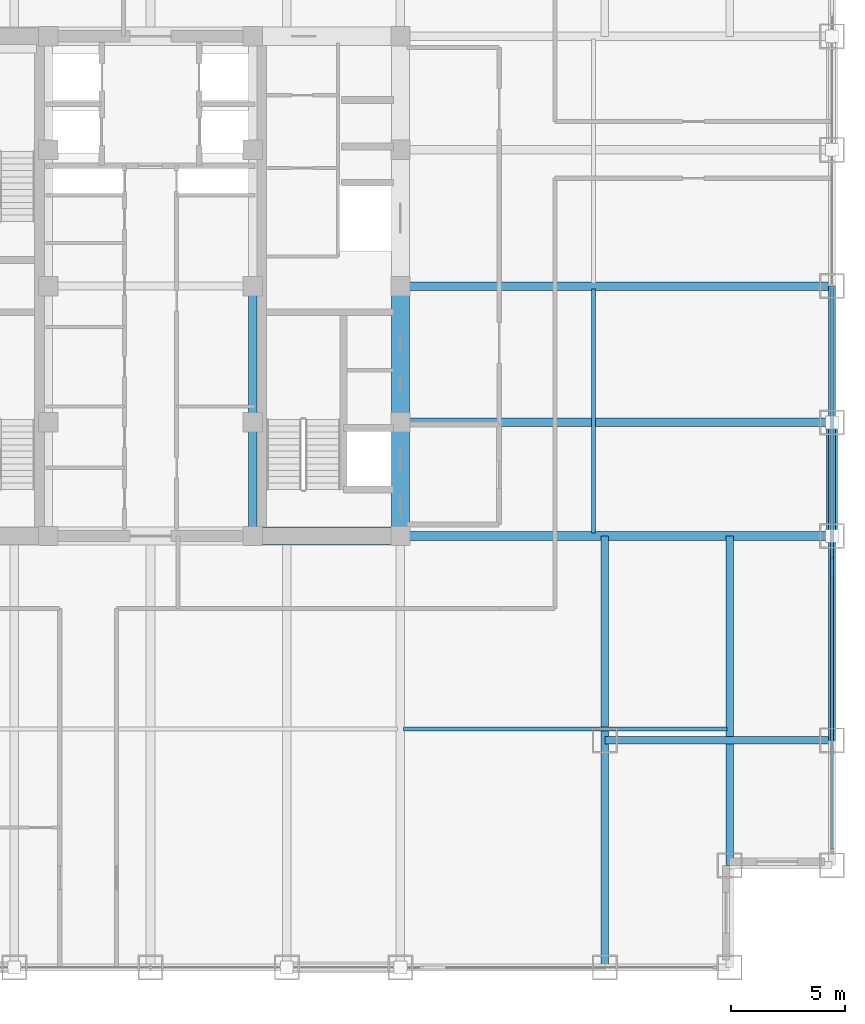
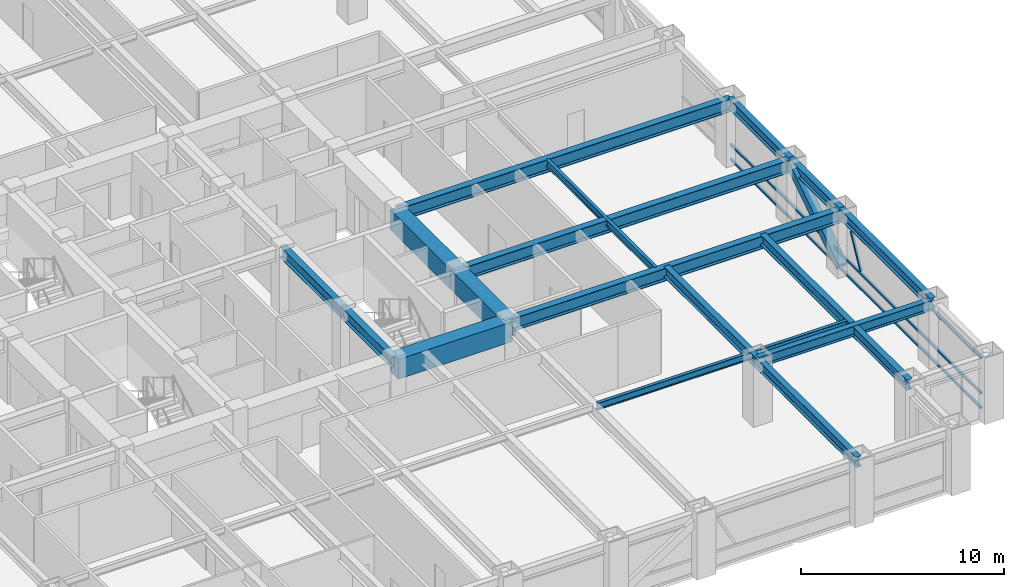
# One storey, part 9 of 24: 16 beams, 5 members, 1 element without a shape of its own.
"""IFC4 building model written with IfcOpenShell, lengths in metres."""

import ifcopenshell
import ifcopenshell.guid

model = None  # the IFC model being written
_history = None  # IfcOwnerHistory: only IFC2X3 demands one
_inside = {}  # id of a spatial element -> (the spatial element, [elements in it])
_under = {}  # id of a project, library or spatial element -> (it, [spatial elements below it])
_declared = {}  # id of a project -> (the project, [libraries it declares])
_typed = {}  # id of a type object -> (the type object, [elements of that type])
_made_of = {}  # id of a material, layer set ... -> (it, [elements and type objects made of it])


def new_model(schema):
    """Start an empty IFC model of exactly this schema.

    Asked for "IFC4X3", IfcOpenShell would pick the latest addendum, in which some entities
    have other attributes; the version numbers below select the first issue.
    IFC2X3 requires an IfcOwnerHistory on every rooted entity: one is made here for all.
    """
    global model, _history
    if schema == "IFC4X3":
        model = ifcopenshell.file(schema_version=(4, 3, 0, 0))
    else:
        model = ifcopenshell.file(schema=schema)
    _inside.clear()
    _under.clear()
    _declared.clear()
    _typed.clear()
    _made_of.clear()
    _history = None
    if model.schema == "IFC2X3":
        org = make("IfcOrganization", Name="unknown")
        user = make(
            "IfcPersonAndOrganization",
            ThePerson=make("IfcPerson", FamilyName="unknown"),
            TheOrganization=org,
        )
        app = make(
            "IfcApplication",
            ApplicationDeveloper=org,
            Version="unknown",
            ApplicationFullName="unknown",
            ApplicationIdentifier="unknown",
        )
        _history = make(
            "IfcOwnerHistory",
            OwningUser=user,
            OwningApplication=app,
            ChangeAction="ADDED",
            CreationDate=0,
        )
    return model


def make(cls, **values):
    """One entity of the class cls with the attributes given. An attribute that is None is left unset."""
    return model.create_entity(
        cls, **{name: value for name, value in values.items() if value is not None}
    )


def rooted(cls, **values):
    """An entity with a GlobalId (a new one), such as an element, a storey or a relation."""
    return make(cls, GlobalId=ifcopenshell.guid.new(), OwnerHistory=_history, **values)


def si_unit(unit_type, name, prefix=None):
    """IfcSIUnit, for example si_unit("LENGTHUNIT", "METRE", prefix="MILLI")."""
    return make("IfcSIUnit", UnitType=unit_type, Prefix=prefix, Name=name)


def assignment(units):
    """IfcUnitAssignment: the units of a project."""
    return None if units is None else make("IfcUnitAssignment", Units=units)


def point(xyz):
    """IfcCartesianPoint."""
    return None if xyz is None else make("IfcCartesianPoint", Coordinates=xyz)


def direction(xyz):
    """IfcDirection."""
    return None if xyz is None else make("IfcDirection", DirectionRatios=xyz)


def frame(location, z_axis=None, x_axis=None):
    """IfcAxis2Placement3D, a coordinate frame: its origin and axes. An axis left out is left unset."""
    return make(
        "IfcAxis2Placement3D",
        Location=point(location),
        Axis=direction(z_axis),
        RefDirection=direction(x_axis),
    )


def frame_2d(location, x_axis=None):
    """IfcAxis2Placement2D, a coordinate frame in the plane: its origin and x axis."""
    return make(
        "IfcAxis2Placement2D", Location=point(location), RefDirection=direction(x_axis)
    )


def origin():
    """The frame at (0, 0, 0) with its axes left unset."""
    return frame((0.0, 0.0, 0.0))


def origin_2d():
    """The frame at (0, 0) in the plane with its x axis left unset."""
    return frame_2d((0.0, 0.0))


def place(relative_to, where):
    """IfcLocalPlacement: puts the frame where relative to a parent placement (None: the world)."""
    return make(
        "IfcLocalPlacement", PlacementRelTo=relative_to, RelativePlacement=where
    )


def context(
    kind, dimensions, precision=None, world=None, true_north=None, identifier=None
):
    """IfcGeometricRepresentationContext, for example the 3D "Model" context."""
    return make(
        "IfcGeometricRepresentationContext",
        ContextIdentifier=identifier,
        ContextType=kind,
        CoordinateSpaceDimension=dimensions,
        Precision=precision,
        WorldCoordinateSystem=world,
        TrueNorth=true_north,
    )


def subcontext(parent, identifier, kind, view, scale=None):
    """IfcGeometricRepresentationSubContext, for example "Body" below "Model"."""
    return make(
        "IfcGeometricRepresentationSubContext",
        ContextIdentifier=identifier,
        ContextType=kind,
        ParentContext=parent,
        TargetScale=scale,
        TargetView=view,
    )


def project(units=None, contexts=None):
    """IfcProject with its units and contexts."""
    return rooted(
        "IfcProject",
        Name="project",
        RepresentationContexts=contexts,
        UnitsInContext=assignment(units),
    )


def spatial(cls, under=None, at=None, **own):
    """A site, building, storey or space (cls), placed at a placement, below another one or the project."""
    s = rooted(cls, ObjectPlacement=at, **own)
    if under is not None:
        _under.setdefault(under.id(), (under, []))[1].append(s)
    return s


def profile(cls, at=None, kind="AREA", **sizes):
    """A parametric profile (cls). Its sizes go by their IFC names, for example OverallWidth=200.0."""
    return make(cls, ProfileType=kind, Position=at, **sizes)


def rectangle(**sizes):
    """IfcRectangleProfileDef."""
    return profile("IfcRectangleProfileDef", **sizes)


def hollow_rectangle(**sizes):
    """IfcRectangleHollowProfileDef."""
    return profile("IfcRectangleHollowProfileDef", **sizes)


def i_section(**sizes):
    """IfcIShapeProfileDef."""
    return profile("IfcIShapeProfileDef", **sizes)


def extrude(swept, where, along, depth):
    """IfcExtrudedAreaSolid: the profile swept, set in the frame where, extruded along a direction by depth."""
    return make(
        "IfcExtrudedAreaSolid",
        SweptArea=swept,
        Position=where,
        ExtrudedDirection=direction(along),
        Depth=depth,
    )


def shape(context_of_items, identifier, shape_type, items):
    """IfcShapeRepresentation: the items that make up one representation, for example the "Body"."""
    return make(
        "IfcShapeRepresentation",
        ContextOfItems=context_of_items,
        RepresentationIdentifier=identifier,
        RepresentationType=shape_type,
        Items=items,
    )


def source(mapping_origin, context_of_items, identifier, shape_type, items):
    """IfcRepresentationMap: a shape defined once, which mapped items show again and again."""
    return make(
        "IfcRepresentationMap",
        MappingOrigin=mapping_origin,
        MappedRepresentation=shape(context_of_items, identifier, shape_type, items),
    )


def transform(
    local_origin,
    x_axis=None,
    y_axis=None,
    z_axis=None,
    scale=None,
    scale2=None,
    scale3=None,
    uniform=True,
):
    """IfcCartesianTransformationOperator3D, or its non-uniform kind. x_axis, y_axis, z_axis: its Axis1, 2, 3."""
    if uniform:
        return make(
            "IfcCartesianTransformationOperator3D",
            Axis1=direction(x_axis),
            Axis2=direction(y_axis),
            LocalOrigin=point(local_origin),
            Scale=scale,
            Axis3=direction(z_axis),
        )
    return make(
        "IfcCartesianTransformationOperator3DnonUniform",
        Axis1=direction(x_axis),
        Axis2=direction(y_axis),
        LocalOrigin=point(local_origin),
        Scale=scale,
        Axis3=direction(z_axis),
        Scale2=scale2,
        Scale3=scale3,
    )


def mapped(mapping_source, mapping_target):
    """IfcMappedItem: shows the shape of a source again, moved by a transform."""
    return make(
        "IfcMappedItem", MappingSource=mapping_source, MappingTarget=mapping_target
    )


def material(Name=None, Category=None):
    """IfcMaterial."""
    return make("IfcMaterial", Name=Name, Category=Category)


def material_profile(
    of_material, cross_section, Name=None, Category=None, Priority=None
):
    """IfcMaterialProfile: a cross section and its material."""
    return make(
        "IfcMaterialProfile",
        Name=Name,
        Material=of_material,
        Profile=cross_section,
        Priority=Priority,
        Category=Category,
    )


def profile_set(profiles, Name=None, composite=None):
    """IfcMaterialProfileSet."""
    return make(
        "IfcMaterialProfileSet",
        Name=Name,
        MaterialProfiles=profiles,
        CompositeProfile=composite,
    )


def made_of(thing, what):
    """Note that an element or type object is made of a material, layer set ...; save() writes the relation."""
    if what is not None:
        _made_of.setdefault(what.id(), (what, []))[1].append(thing)
    return thing


def type_object(cls, material=None, **own):
    """A type object (cls), such as IfcWallType, which elements share."""
    return made_of(rooted(cls, **own), material)


def element(
    cls,
    number,
    at=None,
    inside=None,
    cuts=None,
    type_object=None,
    material=None,
    context=None,
    identifier="Body",
    shape_type=None,
    held_by="IfcProductDefinitionShape",
    body=None,
    shapes=None,
    **own,
):
    """One element of the class cls, such as IfcWall. Its Tag is "e" and its number.

    at: its placement. inside: the storey or other place that contains it. cuts: it is an
    opening in that element (IfcRelVoidsElement). A single representation is given by context,
    identifier, shape_type and body (its items); several are given by shapes. held_by: the class
    of the entity that holds the representations. save() writes the other relations.
    """
    e = rooted(cls, Tag="e%d" % number, ObjectPlacement=at, **own)
    if body is not None:
        shapes = [shape(context, identifier, shape_type, body)]
    if shapes is not None:
        e.Representation = make(held_by, Representations=shapes)
    if inside is not None:
        _inside.setdefault(inside.id(), (inside, []))[1].append(e)
    if cuts is not None:
        rooted(
            "IfcRelVoidsElement", RelatingBuildingElement=cuts, RelatedOpeningElement=e
        )
    if type_object is not None:
        _typed.setdefault(type_object.id(), (type_object, []))[1].append(e)
    return made_of(e, material)


def aggregate(whole, parts):
    """IfcRelAggregates: a whole, such as a stair, and the parts it consists of."""
    return rooted("IfcRelAggregates", RelatingObject=whole, RelatedObjects=parts)


def save(model, path):
    """Write the relations noted so far, then the file.

    IfcRelAggregates (storeys below a building ...), IfcRelContainedInSpatialStructure (elements
    in a storey), IfcRelDefinesByType, IfcRelAssociatesMaterial and IfcRelDeclares: one each for
    every whole, place, type object, material and project.
    """
    for whole, parts in _under.values():
        aggregate(whole, parts)
    for where, things in _inside.values():
        rooted(
            "IfcRelContainedInSpatialStructure",
            RelatedElements=things,
            RelatingStructure=where,
        )
    for kind, things in _typed.values():
        rooted("IfcRelDefinesByType", RelatedObjects=things, RelatingType=kind)
    for what, things in _made_of.values():
        rooted("IfcRelAssociatesMaterial", RelatedObjects=things, RelatingMaterial=what)
    for by, libraries in _declared.values():
        rooted("IfcRelDeclares", RelatingContext=by, RelatedDefinitions=libraries)
    model.write(path)


model = new_model("IFC4")

# Units and contexts
model_context = context("Model", 3, precision=1e-05, world=origin(), true_north=direction((0.0, 1.0)))
body_context = subcontext(model_context, "Body", "Model", "MODEL_VIEW")
ifc_project = project(units=[si_unit("LENGTHUNIT", "METRE"), si_unit("AREAUNIT", "SQUARE_METRE"), si_unit("VOLUMEUNIT", "CUBIC_METRE"), si_unit("PLANEANGLEUNIT", "RADIAN"), si_unit("MASSUNIT", "GRAM", prefix="KILO")], contexts=[model_context])

# Site, building, storey
site_placement = place(None, origin())
site = spatial("IfcSite", under=ifc_project, at=site_placement, CompositionType="ELEMENT")
building_placement = place(site_placement, origin())
building = spatial("IfcBuilding", under=site, at=building_placement, Name="Khorayat Bourse Tower", CompositionType="ELEMENT")
storey_placement = place(building_placement, frame((0.0, 0.0, 171.10009765625)))
storey = spatial("IfcBuildingStorey", under=building, at=storey_placement, Name="L39", CompositionType="ELEMENT", Elevation=171.10009765625)

# Beams
ifc_material_1 = material(Name="Concrete C72/90", Category="concrete")
ifc_material_profile_1 = material_profile(ifc_material_1, rectangle(XDim=0.800048828125, YDim=1.199951171875, at=origin_2d()), Name="RC 800x1200")
ifc_profile_set_1 = profile_set([ifc_material_profile_1], Name="Concrete C72/90")
beam_type_1 = type_object("IfcBeamType", Name="BM-COUP-1200", PredefinedType="BEAM", material=ifc_profile_set_1)
shared_shape_1 = source(origin(), body_context, "Body", "SweptSolid", [
    extrude(rectangle(XDim=0.800048828125, YDim=1.199951171875, at=origin_2d()), origin(), (0.0, 0.0, 1.0), 5.0),
])
beam_1_placement = place(storey_placement, frame((11.0, -11.0, 3.179931640625), z_axis=(0.0, 1.0, 0.0), x_axis=(-1.0, 0.0, 0.0)))
element("IfcBeam", 1, at=beam_1_placement, inside=storey, type_object=beam_type_1, Name="L39 BM-COUP-1200 BM-L39-CRX-13", PredefinedType="BEAM", context=body_context, shape_type="MappedRepresentation", body=[
    mapped(shared_shape_1, transform((0.0, 0.0, 0.0), scale=1.0)),
])
shared_shape_2 = source(origin(), body_context, "Body", "SweptSolid", [
    extrude(rectangle(XDim=0.800048828125, YDim=1.199951171875, at=origin_2d()), origin(), (0.0, 0.0, 1.0), 6.0),
])
beam_2_placement = place(storey_placement, frame((11.0, -6.0, 3.179931640625), z_axis=(0.0, 1.0, 0.0), x_axis=(-1.0, 0.0, 0.0)))
element("IfcBeam", 2, at=beam_2_placement, inside=storey, type_object=beam_type_1, Name="L39 BM-COUP-1200 BM-L39-CRX-14", PredefinedType="BEAM", context=body_context, shape_type="MappedRepresentation", body=[
    mapped(shared_shape_2, transform((0.0, 0.0, 0.0), scale=1.0)),
])
ifc_material_2 = material(Name="Steel ASTM A992 Grade 50", Category="steel")
ifc_material_profile_2 = material_profile(ifc_material_2, i_section(OverallWidth=0.35498046875, OverallDepth=0.695068359375, WebThickness=0.015380859375, FlangeThickness=0.02490234375, FilletRadius=0.01806640625, at=origin_2d()), Name="W690X217")
ifc_profile_set_2 = profile_set([ifc_material_profile_2], Name="Steel ASTM A992 Grade 50")
beam_type_2 = type_object("IfcBeamType", Name="BM-GIRD-690", PredefinedType="BEAM", material=ifc_profile_set_2)
shared_shape_3 = source(origin(), body_context, "Body", "SweptSolid", [
    extrude(i_section(OverallWidth=0.35498046875, OverallDepth=0.695068359375, WebThickness=0.015380859375, FlangeThickness=0.02490234375, FilletRadius=0.01806640625, at=origin_2d()), origin(), (0.0, 0.0, 1.0), 5.0),
])
beam_3_placement = place(storey_placement, frame((4.5, -11.0, 3.432373046875), z_axis=(0.0, 1.0, 0.0), x_axis=(-1.0, 0.0, 0.0)))
element("IfcBeam", 3, at=beam_3_placement, inside=storey, type_object=beam_type_2, Name="L39 BM-GIRD-690 BM-L39-CRX-09", PredefinedType="BEAM", context=body_context, shape_type="MappedRepresentation", body=[
    mapped(shared_shape_3, transform((0.0, 0.0, 0.0), scale=1.0)),
])
shared_shape_4 = source(origin(), body_context, "Body", "SweptSolid", [
    extrude(i_section(OverallWidth=0.35498046875, OverallDepth=0.695068359375, WebThickness=0.015380859375, FlangeThickness=0.02490234375, FilletRadius=0.01806640625, at=origin_2d()), origin(), (0.0, 0.0, 1.0), 6.0),
])
beam_4_placement = place(storey_placement, frame((4.5, -6.0, 3.432373046875), z_axis=(0.0, 1.0, 0.0), x_axis=(-1.0, 0.0, 0.0)))
element("IfcBeam", 4, at=beam_4_placement, inside=storey, type_object=beam_type_2, Name="L39 BM-GIRD-690 BM-L39-CRX-10", PredefinedType="BEAM", context=body_context, shape_type="MappedRepresentation", body=[
    mapped(shared_shape_4, transform((0.0, 0.0, 0.0), scale=1.0)),
])
shared_shape_5 = source(origin(), body_context, "Body", "SweptSolid", [
    extrude(rectangle(XDim=0.800048828125, YDim=1.199951171875, at=origin_2d()), origin(), (0.0, 0.0, 1.0), 6.5),
])
beam_5_placement = place(storey_placement, frame((4.5, -11.0, 3.179931640625), z_axis=(1.0, 0.0, 0.0), x_axis=(0.0, 1.0, 0.0)))
element("IfcBeam", 5, at=beam_5_placement, inside=storey, type_object=beam_type_1, Name="L39 BM-COUP-1200 BM-L39-CRY-19", PredefinedType="BEAM", context=body_context, shape_type="MappedRepresentation", body=[
    mapped(shared_shape_5, transform((0.0, 0.0, 0.0), scale=1.0)),
])
ifc_material_profile_3 = material_profile(ifc_material_2, i_section(OverallWidth=0.381103515625, OverallDepth=0.77294921875, WebThickness=0.0166015625, FlangeThickness=0.027587890625, FilletRadius=0.01806640625, at=origin_2d()), Name="W760X257")
ifc_profile_set_3 = profile_set([ifc_material_profile_3], Name="Steel ASTM A992 Grade 50")
beam_type_3 = type_object("IfcBeamType", Name="BM-GIRD-760", PredefinedType="BEAM", material=ifc_profile_set_3)
shared_shape_6 = source(origin(), body_context, "Body", "SweptSolid", [
    extrude(i_section(OverallWidth=0.381103515625, OverallDepth=0.77294921875, WebThickness=0.0166015625, FlangeThickness=0.027587890625, FilletRadius=0.01806640625, at=origin_2d()), origin(), (0.0, 0.0, 1.0), 19.0),
])
for number, where, z_axis, x_axis, name in (
    (6, (11.0, -11.0, 3.393310546875), (1.0, 0.0, 0.0), (0.0, 1.0, 0.0), "L39 BM-GIRD-760 BM-L39-RADX-074"),
    (7, (11.0, -6.0, 3.393310546875), (1.0, 0.0, 0.0), (0.0, 1.0, 0.0), "L39 BM-GIRD-760 BM-L39-RADX-076"),
    (8, (11.0, 0.0, 3.393310546875), (1.0, 0.0, 0.0), (0.0, 1.0, 0.0), "L39 BM-GIRD-760 BM-L39-RADX-078"),
):
    element("IfcBeam", number, at=place(storey_placement, frame(where, z_axis=z_axis, x_axis=x_axis)), inside=storey, type_object=beam_type_3, Name=name, PredefinedType="BEAM", context=body_context, shape_type="MappedRepresentation", body=[
        mapped(shared_shape_6, transform((0.0, 0.0, 0.0), scale=1.0)),
    ])
ifc_material_profile_4 = material_profile(ifc_material_2, i_section(OverallWidth=0.324951171875, OverallDepth=0.615966796875, WebThickness=0.013916015625, FlangeThickness=0.021484375, FilletRadius=0.01611328125, at=origin_2d()), Name="W610X174")
ifc_profile_set_4 = profile_set([ifc_material_profile_4], Name="Steel ASTM A992 Grade 50")
beam_type_4 = type_object("IfcBeamType", Name="BM-GIRD-610", PredefinedType="BEAM", material=ifc_profile_set_4)
shared_shape_7 = source(origin(), body_context, "Body", "SweptSolid", [
    extrude(i_section(OverallWidth=0.324951171875, OverallDepth=0.615966796875, WebThickness=0.013916015625, FlangeThickness=0.021484375, FilletRadius=0.01611328125, at=origin_2d()), origin(), (0.0, 0.0, 1.0), 19.0),
])
beam_6_placement = place(storey_placement, frame((20.0, -30.0, 3.471923828125), z_axis=(0.0, 1.0, 0.0), x_axis=(-1.0, 0.0, 0.0)))
element("IfcBeam", 9, at=beam_6_placement, inside=storey, type_object=beam_type_4, Name="L39 BM-GIRD-610 BM-L39-CNRY-086", PredefinedType="BEAM", context=body_context, shape_type="MappedRepresentation", body=[
    mapped(shared_shape_7, transform((0.0, 0.0, 0.0), scale=1.0)),
])
shared_shape_8 = source(origin(), body_context, "Body", "SweptSolid", [
    extrude(i_section(OverallWidth=0.324951171875, OverallDepth=0.615966796875, WebThickness=0.013916015625, FlangeThickness=0.021484375, FilletRadius=0.01611328125, at=origin_2d()), origin(), (0.0, 0.0, 1.0), 14.5),
])
beam_7_placement = place(storey_placement, frame((25.5, -25.5, 3.471923828125), z_axis=(0.0, 1.0, 0.0), x_axis=(-1.0, 0.0, 0.0)))
element("IfcBeam", 10, at=beam_7_placement, inside=storey, type_object=beam_type_4, Name="L39 BM-GIRD-610 BM-L39-CNRY-090", PredefinedType="BEAM", context=body_context, shape_type="MappedRepresentation", body=[
    mapped(shared_shape_8, transform((0.0, 0.0, 0.0), scale=1.0)),
])
shared_shape_9 = source(origin(), body_context, "Body", "SweptSolid", [
    extrude(i_section(OverallWidth=0.324951171875, OverallDepth=0.615966796875, WebThickness=0.013916015625, FlangeThickness=0.021484375, FilletRadius=0.01611328125, at=origin_2d()), origin(), (0.0, 0.0, 1.0), 10.0),
])
beam_8_placement = place(storey_placement, frame((20.0, -20.0, 3.471923828125), z_axis=(1.0, 0.0, 0.0), x_axis=(0.0, 1.0, 0.0)))
element("IfcBeam", 11, at=beam_8_placement, inside=storey, type_object=beam_type_4, Name="L39 BM-GIRD-610 BM-L39-CNRX-092", PredefinedType="BEAM", context=body_context, shape_type="MappedRepresentation", body=[
    mapped(shared_shape_9, transform((0.0, 0.0, 0.0), scale=1.0)),
])
ifc_material_profile_5 = material_profile(ifc_material_2, i_section(OverallWidth=0.180908203125, OverallDepth=0.4169921875, WebThickness=0.010986328125, FlangeThickness=0.018310546875, FilletRadius=0.011962890625, at=origin_2d()), Name="W410X85")
ifc_profile_set_5 = profile_set([ifc_material_profile_5], Name="Steel ASTM A992 Grade 50")
beam_type_5 = type_object("IfcBeamType", Name="BM-JOIST-410", PredefinedType="JOIST", material=ifc_profile_set_5)
shared_shape_10 = source(origin(), body_context, "Body", "SweptSolid", [
    extrude(i_section(OverallWidth=0.180908203125, OverallDepth=0.4169921875, WebThickness=0.010986328125, FlangeThickness=0.018310546875, FilletRadius=0.011962890625, at=origin_2d()), origin(), (0.0, 0.0, 1.0), 14.240234375),
])
beam_9_placement = place(storey_placement, frame((11.1298828125, -19.5, 3.5712890625), z_axis=(1.0, 0.0, 0.0), x_axis=(0.0, 1.0, 0.0)))
element("IfcBeam", 12, at=beam_9_placement, inside=storey, type_object=beam_type_5, Name="L39 BM-JOIST-410 BM-L39-JSTX-098", PredefinedType="JOIST", context=body_context, shape_type="MappedRepresentation", body=[
    mapped(shared_shape_10, transform((0.0, 0.0, 0.0), scale=1.0)),
])
shared_shape_11 = source(origin(), body_context, "Body", "SweptSolid", [
    extrude(i_section(OverallWidth=0.180908203125, OverallDepth=0.4169921875, WebThickness=0.010986328125, FlangeThickness=0.018310546875, FilletRadius=0.011962890625, at=origin_2d()), origin(), (0.0, 0.0, 1.0), 10.740234375),
])
beam_10_placement = place(storey_placement, frame((19.5, -10.8701171875, 3.5712890625), z_axis=(0.0, 1.0, 0.0), x_axis=(-1.0, 0.0, 0.0)))
element("IfcBeam", 13, at=beam_10_placement, inside=storey, type_object=beam_type_5, Name="L39 BM-JOIST-410 BM-L39-JSTY-104", PredefinedType="JOIST", context=body_context, shape_type="MappedRepresentation", body=[
    mapped(shared_shape_11, transform((0.0, 0.0, 0.0), scale=1.0)),
])
ifc_material_profile_6 = material_profile(ifc_material_2, i_section(OverallWidth=0.324951171875, OverallDepth=0.615966796875, WebThickness=0.013916015625, FlangeThickness=0.021484375, FilletRadius=0.01611328125, at=origin_2d()), Name="W610X174")
ifc_profile_set_6 = profile_set([ifc_material_profile_6], Name="Steel ASTM A992 Grade 50")
beam_type_6 = type_object("IfcBeamType", Name="BM-SPAN-610", PredefinedType="SPANDREL", material=ifc_profile_set_6)
shared_shape_12 = source(origin(), body_context, "Body", "SweptSolid", [
    extrude(i_section(OverallWidth=0.324951171875, OverallDepth=0.615966796875, WebThickness=0.013916015625, FlangeThickness=0.021484375, FilletRadius=0.01611328125, at=origin_2d()), origin(), (0.0, 0.0, 1.0), 9.0),
])
beam_11_placement = place(storey_placement, frame((30.0, -20.0, 3.471923828125), z_axis=(0.0, 1.0, 0.0), x_axis=(-1.0, 0.0, 0.0)))
element("IfcBeam", 14, at=beam_11_placement, inside=storey, type_object=beam_type_6, Name="L39 BM-SPAN-610 BM-L39-SPN-035", PredefinedType="SPANDREL", context=body_context, shape_type="MappedRepresentation", body=[
    mapped(shared_shape_12, transform((0.0, 0.0, 0.0), scale=1.0)),
])
shared_shape_13 = source(origin(), body_context, "Body", "SweptSolid", [
    extrude(i_section(OverallWidth=0.324951171875, OverallDepth=0.615966796875, WebThickness=0.013916015625, FlangeThickness=0.021484375, FilletRadius=0.01611328125, at=origin_2d()), origin(), (0.0, 0.0, 1.0), 5.0),
])
beam_12_placement = place(storey_placement, frame((30.0, -11.0, 3.471923828125), z_axis=(0.0, 1.0, 0.0), x_axis=(-1.0, 0.0, 0.0)))
element("IfcBeam", 15, at=beam_12_placement, inside=storey, type_object=beam_type_6, Name="L39 BM-SPAN-610 BM-L39-SPN-036", PredefinedType="SPANDREL", context=body_context, shape_type="MappedRepresentation", body=[
    mapped(shared_shape_13, transform((0.0, 0.0, 0.0), scale=1.0)),
])
shared_shape_14 = source(origin(), body_context, "Body", "SweptSolid", [
    extrude(i_section(OverallWidth=0.324951171875, OverallDepth=0.615966796875, WebThickness=0.013916015625, FlangeThickness=0.021484375, FilletRadius=0.01611328125, at=origin_2d()), origin(), (0.0, 0.0, 1.0), 6.0),
])
beam_13_placement = place(storey_placement, frame((30.0, -6.0, 3.471923828125), z_axis=(0.0, 1.0, 0.0), x_axis=(-1.0, 0.0, 0.0)))
element("IfcBeam", 16, at=beam_13_placement, inside=storey, type_object=beam_type_6, Name="L39 BM-SPAN-610 BM-L39-SPN-037", PredefinedType="SPANDREL", context=body_context, shape_type="MappedRepresentation", body=[
    mapped(shared_shape_14, transform((0.0, 0.0, 0.0), scale=1.0)),
])

# Member
ifc_material_3 = material(Name="Steel EN 10025-4 S460M", Category="steel")
ifc_material_profile_7 = material_profile(ifc_material_3, hollow_rectangle(XDim=0.5, YDim=0.5, WallThickness=0.028076171875, at=origin_2d()), Name="HSS 500x500x28")
ifc_profile_set_7 = profile_set([ifc_material_profile_7], Name="Steel EN 10025-4 S460M")
member_type_1 = type_object("IfcMemberType", Name="MBR-TUBE-500", PredefinedType="BRACE", material=ifc_profile_set_7)
shared_shape_15 = source(origin(), body_context, "Body", "SweptSolid", [
    extrude(hollow_rectangle(XDim=0.5, YDim=0.5, WallThickness=0.028076171875, at=origin_2d()), origin(), (0.0, 0.0, 1.0), 5.979736328125),
])
member_1_placement = place(storey_placement, frame((30.0, -11.0, 0.25), z_axis=(0.0, 0.836160261256, 0.548485202623), x_axis=(-1.0, 0.0, 0.0)))
element("IfcMember", 17, at=member_1_placement, inside=storey, type_object=member_type_1, Name="L39 Perimeter Tube Brace 07", PredefinedType="BRACE", context=body_context, shape_type="MappedRepresentation", body=[
    mapped(shared_shape_15, transform((0.0, 0.0, 0.0), scale=1.0)),
])

# Curtain wall, members
ifc_material_4 = material(Name="Aluminium EN AW-6063 T6", Category="aluminium")
curtain_wall_type = type_object("IfcCurtainWallType", Name="CW-SYS-03", PredefinedType="NOTDEFINED", material=ifc_material_4)
curtain_wall_placement = place(storey_placement, origin())
curtain_wall = element("IfcCurtainWall", 18, at=curtain_wall_placement, inside=storey, type_object=curtain_wall_type, Name="L39 Curtain Wall CW-L39-E1", PredefinedType="NOTDEFINED")
ifc_material_profile_8 = material_profile(ifc_material_4, hollow_rectangle(XDim=0.1201171875, YDim=0.1201171875, WallThickness=0.0048828125, at=origin_2d()), Name="ALU 120x120x5")
ifc_profile_set_8 = profile_set([ifc_material_profile_8], Name="Aluminium EN AW-6063 T6")
member_type_2 = type_object("IfcMemberType", Name="CWM-DIAG-120", PredefinedType="MULLION", material=ifc_profile_set_8)
shared_shape_16 = source(origin(), body_context, "Body", "SweptSolid", [
    extrude(hollow_rectangle(XDim=0.1201171875, YDim=0.1201171875, WallThickness=0.0048828125, at=origin_2d()), origin(), (0.0, 0.0, 1.0), 2.079345703125),
])
member_2_placement = place(storey_placement, frame((30.0, -12.904296875, 1.08984375), z_axis=(0.0, 0.465760949701, 0.884910581773), x_axis=(-1.0, 0.0, 0.0)))
member_2 = element("IfcMember", 19, at=member_2_placement, type_object=member_type_2, Name="CW-L39-E1 Faceted Diagonal Mullion 1", PredefinedType="MULLION", context=body_context, shape_type="MappedRepresentation", body=[
    mapped(shared_shape_16, transform((0.0, 0.0, 0.0), scale=1.0)),
])
ifc_material_profile_9 = material_profile(ifc_material_4, hollow_rectangle(XDim=0.1201171875, YDim=0.1201171875, WallThickness=0.0048828125, at=origin_2d()), Name="ALU 120x120x5")
ifc_profile_set_9 = profile_set([ifc_material_profile_9], Name="Aluminium EN AW-6063 T6")
member_type_3 = type_object("IfcMemberType", Name="CWT-HORZ-120", PredefinedType="USERDEFINED", material=ifc_profile_set_9)
shared_shape_17 = source(origin(), body_context, "Body", "SweptSolid", [
    extrude(hollow_rectangle(XDim=0.1201171875, YDim=0.1201171875, WallThickness=0.0048828125, at=origin_2d()), origin(), (0.0, 0.0, 1.0), 24.719970703125),
])
member_3_placement = place(storey_placement, frame((30.0, -24.780029296875, 0.059814453125), z_axis=(0.0, 1.0, 0.0), x_axis=(-1.0, 0.0, 0.0)))
member_3 = element("IfcMember", 20, at=member_3_placement, type_object=member_type_3, Name="CW-L39-E1 Horizontal Transom 1-1", ObjectType="TRANSOM", PredefinedType="USERDEFINED", context=body_context, shape_type="MappedRepresentation", body=[
    mapped(shared_shape_17, transform((0.0, 0.0, 0.0), scale=1.0)),
])
member_4_placement = place(storey_placement, frame((30.0, -24.780029296875, 0.949951171875), z_axis=(0.0, 1.0, 0.0), x_axis=(-1.0, 0.0, 0.0)))
member_4 = element("IfcMember", 21, at=member_4_placement, type_object=member_type_3, Name="CW-L39-E1 Horizontal Transom 1-2", ObjectType="TRANSOM", PredefinedType="USERDEFINED", context=body_context, shape_type="MappedRepresentation", body=[
    mapped(shared_shape_17, transform((0.0, 0.0, 0.0), scale=1.0)),
])
member_5_placement = place(storey_placement, frame((30.0, -24.780029296875, 3.06982421875), z_axis=(0.0, 1.0, 0.0), x_axis=(-1.0, 0.0, 0.0)))
member_5 = element("IfcMember", 22, at=member_5_placement, type_object=member_type_3, Name="CW-L39-E1 Horizontal Transom 1-3", ObjectType="TRANSOM", PredefinedType="USERDEFINED", context=body_context, shape_type="MappedRepresentation", body=[
    mapped(shared_shape_17, transform((0.0, 0.0, 0.0), scale=1.0)),
])
aggregate(curtain_wall, [member_3, member_4, member_5, member_2])

save(model, "model.ifc")
